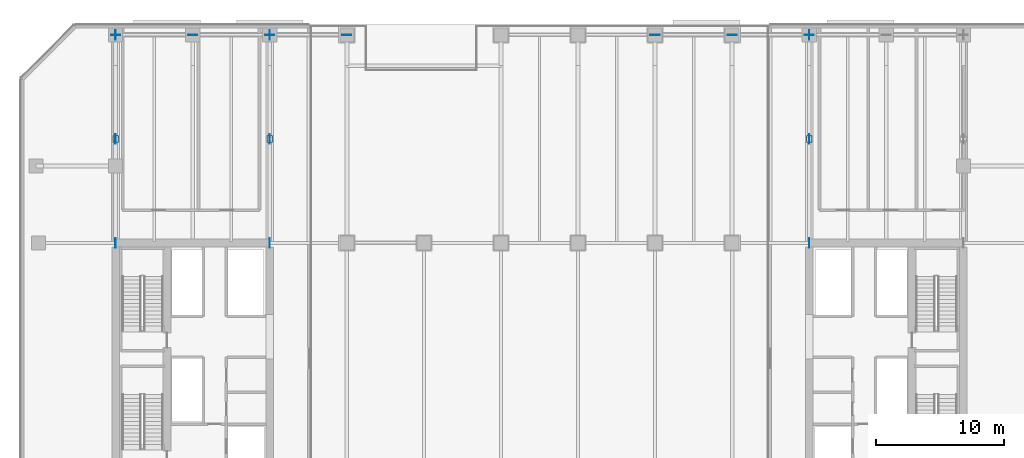
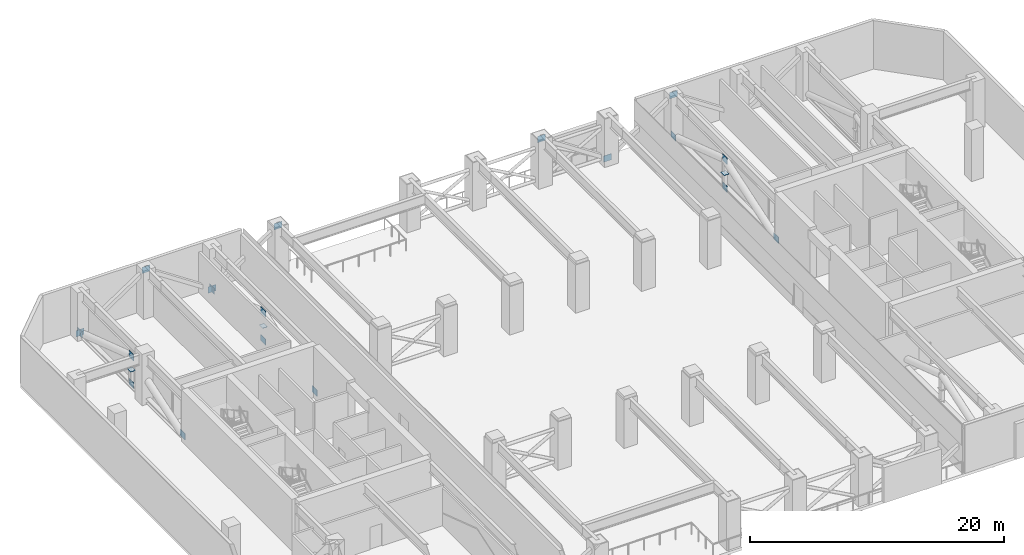
# One storey, part 9 of 22: 22 plates.
"""IFC4 building model written with IfcOpenShell, lengths in metres."""

from ifc_helpers import new_model, si_unit, direction, frame, origin, origin_2d, place, context, subcontext, project, spatial, rectangle, extrude, material, layer, layer_set, type_object, element, save


model = new_model("IFC4")

# Units and contexts
model_context = context("Model", 3, precision=1e-05, world=origin(), true_north=direction((0.0, 1.0)))
body_context = subcontext(model_context, "Body", "Model", "MODEL_VIEW")
ifc_project = project(units=[si_unit("LENGTHUNIT", "METRE"), si_unit("AREAUNIT", "SQUARE_METRE"), si_unit("VOLUMEUNIT", "CUBIC_METRE"), si_unit("PLANEANGLEUNIT", "RADIAN"), si_unit("MASSUNIT", "GRAM", prefix="KILO")], contexts=[model_context])

# Site, building, storey
site_placement = place(None, origin())
site = spatial("IfcSite", under=ifc_project, at=site_placement, CompositionType="ELEMENT")
building_placement = place(site_placement, origin())
building = spatial("IfcBuilding", under=site, at=building_placement, Name="Tanjung Sevakor Pilgrim Tower", CompositionType="ELEMENT")
storey_placement = place(building_placement, frame((0.0, 0.0, 73.260009765625)))
storey = spatial("IfcBuildingStorey", under=building, at=storey_placement, Name="L20", CompositionType="ELEMENT", Elevation=73.260009765625)

# Plates
ifc_material_1 = material(Name="Steel S460M", Category="steel")
ifc_layer_1 = layer(ifc_material_1, 0.028076171875)
ifc_layer_set_1 = layer_set([ifc_layer_1], Name="PL-CAP-28")
plate_type_1 = type_object("IfcPlateType", Name="PL-CAP-28", PredefinedType="USERDEFINED", material=ifc_layer_set_1)
for number, where, z_axis, x_axis, name in (
    (1, (24.0, 50.699951171875, 1.68115234375), (0.0, 0.0, 1.0), (1.0, 0.0, 0.0), "L20 Hollow End Cap Plate 002"),
    (2, (36.0, 50.699951171875, 1.68115234375), (0.0, 0.0, 1.0), (1.0, 0.0, 0.0), "L20 Hollow End Cap Plate 004"),
    (3, (78.0, 50.699951171875, 1.68115234375), (0.0, 0.0, 1.0), (1.0, 0.0, 0.0), "L20 Hollow End Cap Plate 006"),
):
    element("IfcPlate", number, at=place(storey_placement, frame(where, z_axis=z_axis, x_axis=x_axis)), inside=storey, type_object=plate_type_1, Name=name, ObjectType="CAP PLATE", PredefinedType="USERDEFINED", context=body_context, shape_type="SweptSolid", body=[
        extrude(rectangle(XDim=0.43994140625, YDim=0.56005859375, at=origin_2d()), origin(), (0.0, 0.0, 1.0), 0.028076171875),
    ])
ifc_material_2 = material(Name="Steel S460M", Category="steel")
ifc_layer_2 = layer(ifc_material_2, 0.031982421875)
ifc_layer_set_2 = layer_set([ifc_layer_2], Name="PL-GUSSET-32")
plate_type_2 = type_object("IfcPlateType", Name="PL-GUSSET-32", PredefinedType="USERDEFINED", material=ifc_layer_set_2)
for number, where, z_axis, x_axis, name in (
    (4, (24.0, 42.60009765625, 0.050048828125), (0.0, 0.0, 1.0), (1.0, 0.0, 0.0), "L20 Core Wall Cast-In Embed Plate 005"),
    (5, (24.0, 50.699951171875, 0.050048828125), (0.0, 0.0, 1.0), (1.0, 0.0, 0.0), "L20 Outrigger Gusset 006"),
    (6, (24.0, 58.800048828125, 0.050048828125), (0.0, 0.0, 1.0), (1.0, 0.0, 0.0), "L20 Outrigger Gusset 007"),
    (7, (24.0, 50.699951171875, 2.739990234375), (0.0, 0.0, 1.0), (1.0, 0.0, 0.0), "L20 Outrigger Gusset 008"),
    (8, (36.0, 42.60009765625, 0.050048828125), (0.0, 0.0, 1.0), (1.0, 0.0, 0.0), "L20 Core Wall Cast-In Embed Plate 013"),
    (9, (36.0, 50.699951171875, 0.050048828125), (0.0, 0.0, 1.0), (1.0, 0.0, 0.0), "L20 Outrigger Gusset 014"),
    (10, (36.0, 58.800048828125, 0.050048828125), (0.0, 0.0, 1.0), (1.0, 0.0, 0.0), "L20 Outrigger Gusset 015"),
    (11, (36.0, 50.699951171875, 2.739990234375), (0.0, 0.0, 1.0), (1.0, 0.0, 0.0), "L20 Outrigger Gusset 016"),
    (12, (78.0, 42.60009765625, 0.050048828125), (0.0, 0.0, 1.0), (1.0, 0.0, 0.0), "L20 Core Wall Cast-In Embed Plate 021"),
    (13, (78.0, 50.699951171875, 0.050048828125), (0.0, 0.0, 1.0), (1.0, 0.0, 0.0), "L20 Outrigger Gusset 022"),
    (14, (78.0, 58.800048828125, 0.050048828125), (0.0, 0.0, 1.0), (1.0, 0.0, 0.0), "L20 Outrigger Gusset 023"),
    (15, (78.0, 50.699951171875, 2.739990234375), (0.0, 0.0, 1.0), (1.0, 0.0, 0.0), "L20 Outrigger Gusset 024"),
):
    element("IfcPlate", number, at=place(storey_placement, frame(where, z_axis=z_axis, x_axis=x_axis)), inside=storey, type_object=plate_type_2, Name=name, ObjectType="GUSSET PLATE", PredefinedType="USERDEFINED", context=body_context, shape_type="SweptSolid", body=[
        extrude(rectangle(XDim=0.031982421875, YDim=0.760009765625, at=origin_2d()), origin(), (0.0, 0.0, 1.0), 0.60009765625),
    ])
for number, where, z_axis, x_axis, name in (
    (16, (24.0, 58.800048828125, 0.050048828125), (0.0, 0.0, 1.0), (1.0, 0.0, 0.0), "L20 Belt Truss Node Gusset 042"),
    (17, (30.0, 58.800048828125, 4.035888671875), (0.0, 0.0, 1.0), (1.0, 0.0, 0.0), "L20 Belt Truss Node Gusset 043"),
    (18, (36.0, 58.800048828125, 0.050048828125), (0.0, 0.0, 1.0), (1.0, 0.0, 0.0), "L20 Belt Truss Node Gusset 044"),
    (19, (42.0, 58.800048828125, 4.035888671875), (0.0, 0.0, 1.0), (1.0, 0.0, 0.0), "L20 Belt Truss Node Gusset 045"),
    (20, (66.0, 58.800048828125, 4.035888671875), (0.0, 0.0, 1.0), (1.0, 0.0, 0.0), "L20 Belt Truss Node Gusset 046"),
    (21, (72.0, 58.800048828125, 0.050048828125), (0.0, 0.0, 1.0), (1.0, 0.0, 0.0), "L20 Belt Truss Node Gusset 047"),
    (22, (78.0, 58.800048828125, 4.035888671875), (0.0, 0.0, 1.0), (1.0, 0.0, 0.0), "L20 Belt Truss Node Gusset 048"),
):
    element("IfcPlate", number, at=place(storey_placement, frame(where, z_axis=z_axis, x_axis=x_axis)), inside=storey, type_object=plate_type_2, Name=name, ObjectType="GUSSET PLATE", PredefinedType="USERDEFINED", context=body_context, shape_type="SweptSolid", body=[
        extrude(rectangle(XDim=0.719970703125, YDim=0.031982421875, at=origin_2d()), origin(), (0.0, 0.0, 1.0), 0.60009765625),
    ])

save(model, "model.ifc")
